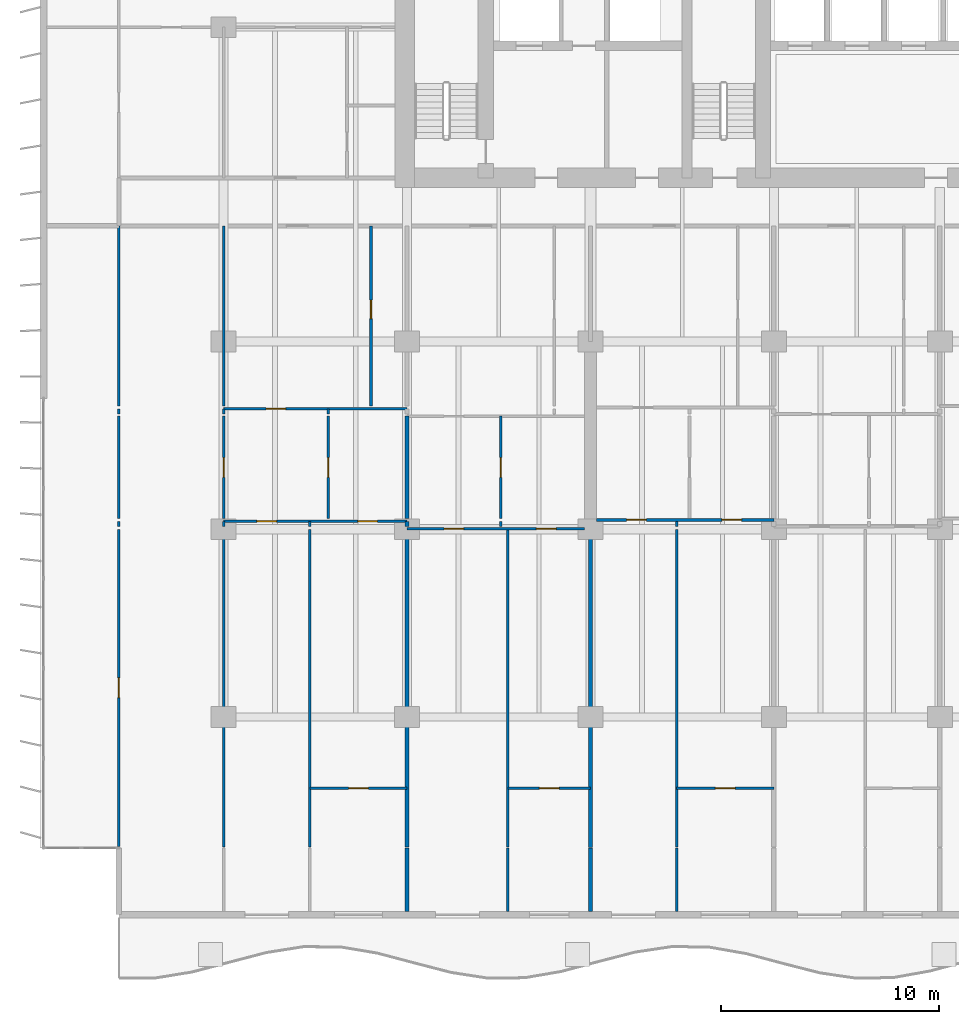
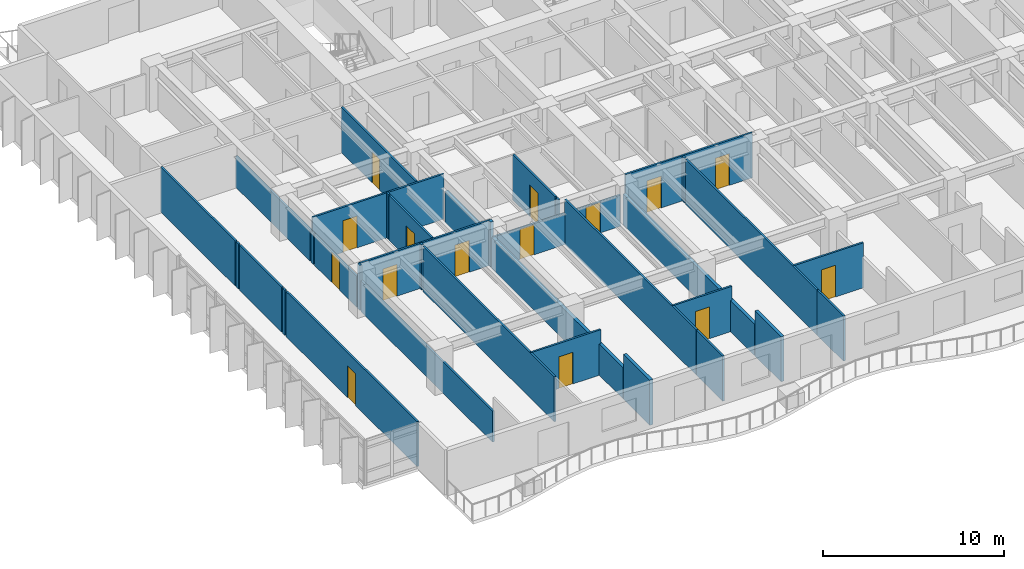
# One storey, part 6 of 18: 35 walls, 15 doors, 15 openings.
"""IFC4 building model written with IfcOpenShell, lengths in metres."""

from ifc_helpers import new_model, si_unit, direction, frame, frame_2d, origin, place, context, subcontext, project, spatial, rectangle, extrude, material, layer, layer_set, type_object, element, fill, save


model = new_model("IFC4")

# Units and contexts
model_context = context("Model", 3, precision=1e-05, world=origin(), true_north=direction((0.0, 1.0)))
body_context = subcontext(model_context, "Body", "Model", "MODEL_VIEW")
ifc_project = project(units=[si_unit("LENGTHUNIT", "METRE"), si_unit("AREAUNIT", "SQUARE_METRE"), si_unit("VOLUMEUNIT", "CUBIC_METRE"), si_unit("PLANEANGLEUNIT", "RADIAN"), si_unit("MASSUNIT", "GRAM", prefix="KILO")], contexts=[model_context])

# Site, building, storey
site_placement = place(None, origin())
site = spatial("IfcSite", under=ifc_project, at=site_placement, CompositionType="ELEMENT")
building_placement = place(site_placement, origin())
building = spatial("IfcBuilding", under=site, at=building_placement, Name="Caelmar Bay Residences", CompositionType="ELEMENT")
storey_placement = place(building_placement, frame((0.0, 0.0, 69.60009765625)))
storey = spatial("IfcBuildingStorey", under=building, at=storey_placement, Name="L18", CompositionType="ELEMENT", Elevation=69.60009765625)

# Wall, opening, door
ifc_material_1 = material(Name="Acoustic metal-stud gypsum partition 120 mm")
ifc_layer_1 = layer(ifc_material_1, 0.1201171875)
ifc_layer_set_1 = layer_set([ifc_layer_1], Name="Acoustic metal-stud gypsum partition 120 mm")
wall_type_1 = type_object("IfcWallType", Name="W-PRT-120", PredefinedType="PARTITIONING", material=ifc_layer_set_1)
wall_1_placement = place(storey_placement, frame((5.10009765625, 6.284912109375, 0.0), z_axis=(0.0, 0.0, 1.0), x_axis=(0.0, 1.0, 0.0)))
wall_1 = element("IfcWall", 1, at=wall_1_placement, inside=storey, type_object=wall_type_1, Name="L18 Partition Wall V001", PredefinedType="PARTITIONING", context=body_context, shape_type="SweptSolid", body=[
    extrude(rectangle(XDim=14.51513671875, YDim=0.1201171875, at=frame_2d((7.257568359375, 0.0))), origin(), (0.0, 0.0, 1.0), 3.0498046875),
])
opening_1_placement = place(wall_1_placement, frame((6.8076171875, 0.0, 0.0)))
opening_1 = element("IfcOpeningElement", 2, at=opening_1_placement, cuts=wall_1, Name="Opening D-L18-170", PredefinedType="OPENING", context=body_context, shape_type="SweptSolid", body=[
    extrude(rectangle(XDim=0.89990234375, YDim=2.14990234375, at=frame_2d((0.449951171875, 1.074951171875))), frame((0.0, 0.070068359375, 0.0), z_axis=(0.0, -1.0, 0.0), x_axis=(1.0, 0.0, 0.0)), (0.0, 0.0, 1.0), 0.14013671875),
])
ifc_material_2 = material(Name="Solid walnut timber interior door leaf and frame", Category="wood")
ifc_layer_2 = layer(ifc_material_2, 0.050048828125)
ifc_layer_set_2 = layer_set([ifc_layer_2], Name="Solid walnut timber interior door leaf and frame")
door_type_1 = type_object("IfcDoorType", Name="D-ROOM-900", OperationType="NOTDEFINED", PredefinedType="DOOR", material=ifc_layer_set_2)
door_1_placement = place(opening_1_placement, origin())
door_1 = element("IfcDoor", 3, at=door_1_placement, inside=storey, type_object=door_type_1, Name="L18 Residence 01 Penthouse West Salon Door", OperationType="SINGLE_SWING_LEFT", OverallHeight=2.14990234375, OverallWidth=0.89990234375, PredefinedType="DOOR", context=body_context, shape_type="SweptSolid", body=[
    extrude(rectangle(XDim=0.89990234375, YDim=2.14990234375, at=frame_2d((0.449951171875, 1.074951171875))), frame((0.0, 0.02490234375, 0.0), z_axis=(0.0, -1.0, 0.0), x_axis=(1.0, 0.0, 0.0)), (0.0, 0.0, 1.0), 0.050048828125),
])
fill(opening_1, door_1)

# Walls
wall_2_placement = place(storey_placement, frame((5.10009765625, 20.929931640625, 0.0), z_axis=(0.0, 0.0, 1.0), x_axis=(0.0, 1.0, 0.0)))
element("IfcWall", 4, at=wall_2_placement, inside=storey, type_object=wall_type_1, Name="L18 Partition Wall V002", PredefinedType="PARTITIONING", context=body_context, shape_type="SweptSolid", body=[
    extrude(rectangle(XDim=0.239990234375, YDim=0.1201171875, at=frame_2d((0.1201171875, 0.0))), origin(), (0.0, 0.0, 1.0), 3.0498046875),
])
wall_3_placement = place(storey_placement, frame((5.10009765625, 21.2900390625, 0.0), z_axis=(0.0, 0.0, 1.0), x_axis=(0.0, 1.0, 0.0)))
element("IfcWall", 5, at=wall_3_placement, inside=storey, type_object=wall_type_1, Name="L18 Partition Wall V003", PredefinedType="PARTITIONING", context=body_context, shape_type="SweptSolid", body=[
    extrude(rectangle(XDim=4.68994140625, YDim=0.1201171875, at=frame_2d((2.344970703125, 0.0))), origin(), (0.0, 0.0, 1.0), 3.0498046875),
])
wall_4_placement = place(storey_placement, frame((5.10009765625, 26.080078125, 0.0), z_axis=(0.0, 0.0, 1.0), x_axis=(0.0, 1.0, 0.0)))
element("IfcWall", 6, at=wall_4_placement, inside=storey, type_object=wall_type_1, Name="L18 Partition Wall V004", PredefinedType="PARTITIONING", context=body_context, shape_type="SweptSolid", body=[
    extrude(rectangle(XDim=0.239990234375, YDim=0.1201171875, at=frame_2d((0.1201171875, 0.0))), origin(), (0.0, 0.0, 1.0), 3.0498046875),
])
wall_5_placement = place(storey_placement, frame((5.10009765625, 26.43994140625, 0.0), z_axis=(0.0, 0.0, 1.0), x_axis=(0.0, 1.0, 0.0)))
element("IfcWall", 7, at=wall_5_placement, inside=storey, type_object=wall_type_1, Name="L18 Partition Wall V005", PredefinedType="PARTITIONING", context=body_context, shape_type="SweptSolid", body=[
    extrude(rectangle(XDim=8.260009765625, YDim=0.1201171875, at=frame_2d((4.1298828125, 0.0))), origin(), (0.0, 0.0, 1.0), 3.0498046875),
])
wall_6_placement = place(storey_placement, frame((9.89990234375, 6.239990234375, 0.0), z_axis=(0.0, 0.0, 1.0), x_axis=(0.0, 1.0, 0.0)))
element("IfcWall", 8, at=wall_6_placement, inside=storey, type_object=wall_type_1, Name="L18 Partition Wall V009", PredefinedType="PARTITIONING", context=body_context, shape_type="SweptSolid", body=[
    extrude(rectangle(XDim=14.56005859375, YDim=0.1201171875, at=frame_2d((7.280029296875, 0.0))), origin(), (0.0, 0.0, 1.0), 2.10986328125),
])
wall_7_placement = place(storey_placement, frame((9.89990234375, 20.929931640625, 0.0), z_axis=(0.0, 0.0, 1.0), x_axis=(0.0, 1.0, 0.0)))
element("IfcWall", 9, at=wall_7_placement, inside=storey, type_object=wall_type_1, Name="L18 Partition Wall V010", PredefinedType="PARTITIONING", context=body_context, shape_type="SweptSolid", body=[
    extrude(rectangle(XDim=0.239990234375, YDim=0.1201171875, at=frame_2d((0.1201171875, 0.0))), origin(), (0.0, 0.0, 1.0), 3.0498046875),
])

# Wall, opening, door
wall_8_placement = place(storey_placement, frame((9.89990234375, 21.2900390625, 0.0), z_axis=(0.0, 0.0, 1.0), x_axis=(0.0, 1.0, 0.0)))
wall_8 = element("IfcWall", 10, at=wall_8_placement, inside=storey, type_object=wall_type_1, Name="L18 Partition Wall V011", PredefinedType="PARTITIONING", context=body_context, shape_type="SweptSolid", body=[
    extrude(rectangle(XDim=4.68994140625, YDim=0.1201171875, at=frame_2d((2.344970703125, 0.0))), origin(), (0.0, 0.0, 1.0), 2.10986328125),
])
opening_2_placement = place(wall_8_placement, frame((1.89501953125, 0.0, 0.0)))
opening_2 = element("IfcOpeningElement", 11, at=opening_2_placement, cuts=wall_8, Name="Opening D-L18-126", PredefinedType="OPENING", context=body_context, shape_type="SweptSolid", body=[
    extrude(rectangle(XDim=0.89990234375, YDim=2.06005859375, at=frame_2d((0.449951171875, 1.030029296875))), frame((0.0, 0.070068359375, 0.0), z_axis=(0.0, -1.0, 0.0), x_axis=(1.0, 0.0, 0.0)), (0.0, 0.0, 1.0), 0.14013671875),
])
door_2_placement = place(opening_2_placement, origin())
door_2 = element("IfcDoor", 12, at=door_2_placement, inside=storey, type_object=door_type_1, Name="L18 Residence 01 West Apartment Hall Door", OperationType="SINGLE_SWING_LEFT", OverallHeight=2.06005859375, OverallWidth=0.89990234375, PredefinedType="DOOR", context=body_context, shape_type="SweptSolid", body=[
    extrude(rectangle(XDim=0.89990234375, YDim=2.06005859375, at=frame_2d((0.449951171875, 1.030029296875))), frame((0.0, 0.02490234375, 0.0), z_axis=(0.0, -1.0, 0.0), x_axis=(1.0, 0.0, 0.0)), (0.0, 0.0, 1.0), 0.050048828125),
])
fill(opening_2, door_2)

# Walls
wall_9_placement = place(storey_placement, frame((9.89990234375, 26.080078125, 0.0), z_axis=(0.0, 0.0, 1.0), x_axis=(0.0, 1.0, 0.0)))
element("IfcWall", 13, at=wall_9_placement, inside=storey, type_object=wall_type_1, Name="L18 Partition Wall V012", PredefinedType="PARTITIONING", context=body_context, shape_type="SweptSolid", body=[
    extrude(rectangle(XDim=0.239990234375, YDim=0.1201171875, at=frame_2d((0.1201171875, 0.0))), origin(), (0.0, 0.0, 1.0), 2.10986328125),
])
wall_10_placement = place(storey_placement, frame((9.89990234375, 26.43994140625, 0.0), z_axis=(0.0, 0.0, 1.0), x_axis=(0.0, 1.0, 0.0)))
element("IfcWall", 14, at=wall_10_placement, inside=storey, type_object=wall_type_1, Name="L18 Partition Wall V013", PredefinedType="PARTITIONING", context=body_context, shape_type="SweptSolid", body=[
    extrude(rectangle(XDim=8.260009765625, YDim=0.1201171875, at=frame_2d((4.1298828125, 0.0))), origin(), (0.0, 0.0, 1.0), 2.10986328125),
])
wall_11_placement = place(storey_placement, frame((13.847900390625, 6.239990234375, 0.0), z_axis=(0.0, 0.0, 1.0), x_axis=(0.0, 1.0, 0.0)))
element("IfcWall", 15, at=wall_11_placement, inside=storey, type_object=wall_type_1, Name="L18 Partition Wall V016", PredefinedType="PARTITIONING", context=body_context, shape_type="SweptSolid", body=[
    extrude(rectangle(XDim=14.56005859375, YDim=0.1201171875, at=frame_2d((7.280029296875, 0.0))), origin(), (0.0, 0.0, 1.0), 3.0498046875),
])
wall_12_placement = place(storey_placement, frame((13.847900390625, 20.929931640625, 0.0), z_axis=(0.0, 0.0, 1.0), x_axis=(0.0, 1.0, 0.0)))
element("IfcWall", 16, at=wall_12_placement, inside=storey, type_object=wall_type_1, Name="L18 Partition Wall V017", PredefinedType="PARTITIONING", context=body_context, shape_type="SweptSolid", body=[
    extrude(rectangle(XDim=0.239990234375, YDim=0.1201171875, at=frame_2d((0.1201171875, 0.0))), origin(), (0.0, 0.0, 1.0), 3.0498046875),
])

# Wall, opening, door
wall_13_placement = place(storey_placement, frame((14.68603515625, 21.2900390625, 0.0), z_axis=(0.0, 0.0, 1.0), x_axis=(0.0, 1.0, 0.0)))
wall_13 = element("IfcWall", 17, at=wall_13_placement, inside=storey, type_object=wall_type_1, Name="L18 Partition Wall V018", PredefinedType="PARTITIONING", context=body_context, shape_type="SweptSolid", body=[
    extrude(rectangle(XDim=4.68994140625, YDim=0.1201171875, at=frame_2d((2.344970703125, 0.0))), origin(), (0.0, 0.0, 1.0), 3.0498046875),
])
opening_3_placement = place(wall_13_placement, frame((1.89501953125, 0.0, 0.0)))
opening_3 = element("IfcOpeningElement", 18, at=opening_3_placement, cuts=wall_13, Name="Opening D-L18-122", PredefinedType="OPENING", context=body_context, shape_type="SweptSolid", body=[
    extrude(rectangle(XDim=0.89990234375, YDim=2.14990234375, at=frame_2d((0.449951171875, 1.074951171875))), frame((0.0, 0.070068359375, 0.0), z_axis=(0.0, -1.0, 0.0), x_axis=(1.0, 0.0, 0.0)), (0.0, 0.0, 1.0), 0.14013671875),
])
door_3_placement = place(opening_3_placement, origin())
door_3 = element("IfcDoor", 19, at=door_3_placement, inside=storey, type_object=door_type_1, Name="L18 Residence 01 Study Door", OperationType="SINGLE_SWING_LEFT", OverallHeight=2.14990234375, OverallWidth=0.89990234375, PredefinedType="DOOR", context=body_context, shape_type="SweptSolid", body=[
    extrude(rectangle(XDim=0.89990234375, YDim=2.14990234375, at=frame_2d((0.449951171875, 1.074951171875))), frame((0.0, 0.02490234375, 0.0), z_axis=(0.0, -1.0, 0.0), x_axis=(1.0, 0.0, 0.0)), (0.0, 0.0, 1.0), 0.050048828125),
])
fill(opening_3, door_3)

# Wall
wall_14_placement = place(storey_placement, frame((14.68603515625, 26.080078125, 0.0), z_axis=(0.0, 0.0, 1.0), x_axis=(0.0, 1.0, 0.0)))
element("IfcWall", 20, at=wall_14_placement, inside=storey, type_object=wall_type_1, Name="L18 Partition Wall V019", PredefinedType="PARTITIONING", context=body_context, shape_type="SweptSolid", body=[
    extrude(rectangle(XDim=0.239990234375, YDim=0.1201171875, at=frame_2d((0.1201171875, 0.0))), origin(), (0.0, 0.0, 1.0), 3.0498046875),
])

# Wall, opening, door
wall_15_placement = place(storey_placement, frame((16.64990234375, 26.43994140625, 0.0), z_axis=(0.0, 0.0, 1.0), x_axis=(0.0, 1.0, 0.0)))
wall_15 = element("IfcWall", 21, at=wall_15_placement, inside=storey, type_object=wall_type_1, Name="L18 Partition Wall V021", PredefinedType="PARTITIONING", context=body_context, shape_type="SweptSolid", body=[
    extrude(rectangle(XDim=8.260009765625, YDim=0.1201171875, at=frame_2d((4.1298828125, 0.0))), origin(), (0.0, 0.0, 1.0), 3.0498046875),
])
opening_4_placement = place(wall_15_placement, frame((4.0048828125, 0.0, 0.0)))
opening_4 = element("IfcOpeningElement", 22, at=opening_4_placement, cuts=wall_15, Name="Opening D-L18-120", PredefinedType="OPENING", context=body_context, shape_type="SweptSolid", body=[
    extrude(rectangle(XDim=0.85009765625, YDim=2.10009765625, at=frame_2d((0.425048828125, 1.050048828125))), frame((0.0, 0.070068359375, 0.0), z_axis=(0.0, -1.0, 0.0), x_axis=(1.0, 0.0, 0.0)), (0.0, 0.0, 1.0), 0.14013671875),
])
ifc_layer_3 = layer(ifc_material_2, 0.050048828125)
ifc_layer_set_3 = layer_set([ifc_layer_3], Name="Solid walnut timber interior door leaf and frame")
door_type_2 = type_object("IfcDoorType", Name="D-BATH-850", OperationType="NOTDEFINED", PredefinedType="DOOR", material=ifc_layer_set_3)
door_4_placement = place(opening_4_placement, origin())
door_4 = element("IfcDoor", 23, at=door_4_placement, inside=storey, type_object=door_type_2, Name="L18 Residence 01 Bathroom Door", OperationType="SINGLE_SWING_LEFT", OverallHeight=2.10009765625, OverallWidth=0.85009765625, PredefinedType="DOOR", context=body_context, shape_type="SweptSolid", body=[
    extrude(rectangle(XDim=0.85009765625, YDim=2.10009765625, at=frame_2d((0.425048828125, 1.050048828125))), frame((0.0, 0.02490234375, 0.0), z_axis=(0.0, -1.0, 0.0), x_axis=(1.0, 0.0, 0.0)), (0.0, 0.0, 1.0), 0.050048828125),
])
fill(opening_4, door_4)

# Wall
wall_16_placement = place(storey_placement, frame((22.5859375, 20.929931640625, 0.0), z_axis=(0.0, 0.0, 1.0), x_axis=(0.0, 1.0, 0.0)))
element("IfcWall", 24, at=wall_16_placement, inside=storey, type_object=wall_type_1, Name="L18 Partition Wall V029", PredefinedType="PARTITIONING", context=body_context, shape_type="SweptSolid", body=[
    extrude(rectangle(XDim=0.239990234375, YDim=0.1201171875, at=frame_2d((0.1201171875, 0.0))), origin(), (0.0, 0.0, 1.0), 3.0498046875),
])

# Wall, opening, door
wall_17_placement = place(storey_placement, frame((22.5859375, 21.2900390625, 0.0), z_axis=(0.0, 0.0, 1.0), x_axis=(0.0, 1.0, 0.0)))
wall_17 = element("IfcWall", 25, at=wall_17_placement, inside=storey, type_object=wall_type_1, Name="L18 Partition Wall V030", PredefinedType="PARTITIONING", context=body_context, shape_type="SweptSolid", body=[
    extrude(rectangle(XDim=4.68994140625, YDim=0.1201171875, at=frame_2d((2.344970703125, 0.0))), origin(), (0.0, 0.0, 1.0), 3.0498046875),
])
opening_5_placement = place(wall_17_placement, frame((1.89501953125, 0.0, 0.0)))
opening_5 = element("IfcOpeningElement", 26, at=opening_5_placement, cuts=wall_17, Name="Opening D-L18-130", PredefinedType="OPENING", context=body_context, shape_type="SweptSolid", body=[
    extrude(rectangle(XDim=0.89990234375, YDim=2.14990234375, at=frame_2d((0.449951171875, 1.074951171875))), frame((0.0, 0.070068359375, 0.0), z_axis=(0.0, -1.0, 0.0), x_axis=(1.0, 0.0, 0.0)), (0.0, 0.0, 1.0), 0.14013671875),
])
door_5_placement = place(opening_5_placement, origin())
door_5 = element("IfcDoor", 27, at=door_5_placement, inside=storey, type_object=door_type_1, Name="L18 Residence 02 Study Door", OperationType="SINGLE_SWING_LEFT", OverallHeight=2.14990234375, OverallWidth=0.89990234375, PredefinedType="DOOR", context=body_context, shape_type="SweptSolid", body=[
    extrude(rectangle(XDim=0.89990234375, YDim=2.14990234375, at=frame_2d((0.449951171875, 1.074951171875))), frame((0.0, 0.02490234375, 0.0), z_axis=(0.0, -1.0, 0.0), x_axis=(1.0, 0.0, 0.0)), (0.0, 0.0, 1.0), 0.050048828125),
])
fill(opening_5, door_5)

# Walls
wall_18_placement = place(storey_placement, frame((22.919921875, 3.294921875, 0.0), z_axis=(0.0, 0.0, 1.0), x_axis=(0.0, 1.0, 0.0)))
element("IfcWall", 28, at=wall_18_placement, inside=storey, type_object=wall_type_1, Name="L18 Partition Wall V031", PredefinedType="PARTITIONING", context=body_context, shape_type="SweptSolid", body=[
    extrude(rectangle(XDim=2.905029296875, YDim=0.1201171875, at=frame_2d((1.45263671875, 0.0))), origin(), (0.0, 0.0, 1.0), 3.0498046875),
])
wall_19_placement = place(storey_placement, frame((22.919921875, 6.239990234375, 0.0), z_axis=(0.0, 0.0, 1.0), x_axis=(0.0, 1.0, 0.0)))
element("IfcWall", 29, at=wall_19_placement, inside=storey, type_object=wall_type_1, Name="L18 Partition Wall V032", PredefinedType="PARTITIONING", context=body_context, shape_type="SweptSolid", body=[
    extrude(rectangle(XDim=14.56005859375, YDim=0.1201171875, at=frame_2d((7.280029296875, 0.0))), origin(), (0.0, 0.0, 1.0), 3.0498046875),
])
wall_20_placement = place(storey_placement, frame((30.64794921875, 3.294921875, 0.0), z_axis=(0.0, 0.0, 1.0), x_axis=(0.0, 1.0, 0.0)))
element("IfcWall", 30, at=wall_20_placement, inside=storey, type_object=wall_type_1, Name="L18 Partition Wall V041", PredefinedType="PARTITIONING", context=body_context, shape_type="SweptSolid", body=[
    extrude(rectangle(XDim=2.905029296875, YDim=0.1201171875, at=frame_2d((1.45263671875, 0.0))), origin(), (0.0, 0.0, 1.0), 3.0498046875),
])
wall_21_placement = place(storey_placement, frame((30.64794921875, 6.239990234375, 0.0), z_axis=(0.0, 0.0, 1.0), x_axis=(0.0, 1.0, 0.0)))
element("IfcWall", 31, at=wall_21_placement, inside=storey, type_object=wall_type_1, Name="L18 Partition Wall V042", PredefinedType="PARTITIONING", context=body_context, shape_type="SweptSolid", body=[
    extrude(rectangle(XDim=14.56005859375, YDim=0.1201171875, at=frame_2d((7.280029296875, 0.0))), origin(), (0.0, 0.0, 1.0), 3.0498046875),
])
wall_22_placement = place(storey_placement, frame((30.64794921875, 20.929931640625, 0.0), z_axis=(0.0, 0.0, 1.0), x_axis=(0.0, 1.0, 0.0)))
element("IfcWall", 32, at=wall_22_placement, inside=storey, type_object=wall_type_1, Name="L18 Partition Wall V043", PredefinedType="PARTITIONING", context=body_context, shape_type="SweptSolid", body=[
    extrude(rectangle(XDim=0.239990234375, YDim=0.1201171875, at=frame_2d((0.1201171875, 0.0))), origin(), (0.0, 0.0, 1.0), 3.0498046875),
])

# Wall, opening, door
wall_23_placement = place(storey_placement, frame((13.847900390625, 8.949951171875, 0.0), z_axis=(0.0, 0.0, 1.0), x_axis=(1.0, 0.0, 0.0)))
wall_23 = element("IfcWall", 33, at=wall_23_placement, inside=storey, type_object=wall_type_1, Name="L18 Partition Wall H117", PredefinedType="PARTITIONING", context=body_context, shape_type="SweptSolid", body=[
    extrude(rectangle(XDim=4.4521484375, YDim=0.1201171875, at=frame_2d((2.22607421875, 0.0))), origin(), (0.0, 0.0, 1.0), 3.0498046875),
])
opening_6_placement = place(wall_23_placement, frame((1.77587890625, 0.0, 0.0)))
opening_6 = element("IfcOpeningElement", 34, at=opening_6_placement, cuts=wall_23, Name="Opening D-L18-125", PredefinedType="OPENING", context=body_context, shape_type="SweptSolid", body=[
    extrude(rectangle(XDim=0.89990234375, YDim=2.14990234375, at=frame_2d((0.449951171875, 1.074951171875))), frame((0.0, 0.070068359375, 0.0), z_axis=(0.0, -1.0, 0.0), x_axis=(1.0, 0.0, 0.0)), (0.0, 0.0, 1.0), 0.14013671875),
])
door_6_placement = place(opening_6_placement, origin())
door_6 = element("IfcDoor", 35, at=door_6_placement, inside=storey, type_object=door_type_1, Name="L18 Residence 01 Primary Bedroom Door", OperationType="SINGLE_SWING_RIGHT", OverallHeight=2.14990234375, OverallWidth=0.89990234375, PredefinedType="DOOR", context=body_context, shape_type="SweptSolid", body=[
    extrude(rectangle(XDim=0.89990234375, YDim=2.14990234375, at=frame_2d((0.449951171875, 1.074951171875))), frame((0.0, 0.02490234375, 0.0), z_axis=(0.0, -1.0, 0.0), x_axis=(1.0, 0.0, 0.0)), (0.0, 0.0, 1.0), 0.050048828125),
])
fill(opening_6, door_6)

wall_24_placement = place(storey_placement, frame((22.919921875, 8.949951171875, 0.0), z_axis=(0.0, 0.0, 1.0), x_axis=(1.0, 0.0, 0.0)))
wall_24 = element("IfcWall", 36, at=wall_24_placement, inside=storey, type_object=wall_type_1, Name="L18 Partition Wall H118", PredefinedType="PARTITIONING", context=body_context, shape_type="SweptSolid", body=[
    extrude(rectangle(XDim=3.780029296875, YDim=0.1201171875, at=frame_2d((1.89013671875, 0.0))), origin(), (0.0, 0.0, 1.0), 3.0498046875),
])
opening_7_placement = place(wall_24_placement, frame((1.43994140625, 0.0, 0.0)))
opening_7 = element("IfcOpeningElement", 37, at=opening_7_placement, cuts=wall_24, Name="Opening D-L18-133", PredefinedType="OPENING", context=body_context, shape_type="SweptSolid", body=[
    extrude(rectangle(XDim=0.89990234375, YDim=2.14990234375, at=frame_2d((0.449951171875, 1.074951171875))), frame((0.0, 0.070068359375, 0.0), z_axis=(0.0, -1.0, 0.0), x_axis=(1.0, 0.0, 0.0)), (0.0, 0.0, 1.0), 0.14013671875),
])
door_7_placement = place(opening_7_placement, origin())
door_7 = element("IfcDoor", 38, at=door_7_placement, inside=storey, type_object=door_type_1, Name="L18 Residence 02 Primary Bedroom Door", OperationType="SINGLE_SWING_RIGHT", OverallHeight=2.14990234375, OverallWidth=0.89990234375, PredefinedType="DOOR", context=body_context, shape_type="SweptSolid", body=[
    extrude(rectangle(XDim=0.89990234375, YDim=2.14990234375, at=frame_2d((0.449951171875, 1.074951171875))), frame((0.0, 0.02490234375, 0.0), z_axis=(0.0, -1.0, 0.0), x_axis=(1.0, 0.0, 0.0)), (0.0, 0.0, 1.0), 0.050048828125),
])
fill(opening_7, door_7)

wall_25_placement = place(storey_placement, frame((30.64794921875, 8.949951171875, 0.0), z_axis=(0.0, 0.0, 1.0), x_axis=(1.0, 0.0, 0.0)))
wall_25 = element("IfcWall", 39, at=wall_25_placement, inside=storey, type_object=wall_type_1, Name="L18 Partition Wall H119", PredefinedType="PARTITIONING", context=body_context, shape_type="SweptSolid", body=[
    extrude(rectangle(XDim=4.4521484375, YDim=0.1201171875, at=frame_2d((2.22607421875, 0.0))), origin(), (0.0, 0.0, 1.0), 3.0498046875),
])
opening_8_placement = place(wall_25_placement, frame((1.77587890625, 0.0, 0.0)))
opening_8 = element("IfcOpeningElement", 40, at=opening_8_placement, cuts=wall_25, Name="Opening D-L18-140", PredefinedType="OPENING", context=body_context, shape_type="SweptSolid", body=[
    extrude(rectangle(XDim=0.89990234375, YDim=2.14990234375, at=frame_2d((0.449951171875, 1.074951171875))), frame((0.0, 0.070068359375, 0.0), z_axis=(0.0, -1.0, 0.0), x_axis=(1.0, 0.0, 0.0)), (0.0, 0.0, 1.0), 0.14013671875),
])
door_8_placement = place(opening_8_placement, origin())
door_8 = element("IfcDoor", 41, at=door_8_placement, inside=storey, type_object=door_type_1, Name="L18 Residence 03 Primary Bedroom Door", OperationType="SINGLE_SWING_LEFT", OverallHeight=2.14990234375, OverallWidth=0.89990234375, PredefinedType="DOOR", context=body_context, shape_type="SweptSolid", body=[
    extrude(rectangle(XDim=0.89990234375, YDim=2.14990234375, at=frame_2d((0.449951171875, 1.074951171875))), frame((0.0, 0.02490234375, 0.0), z_axis=(0.0, -1.0, 0.0), x_axis=(1.0, 0.0, 0.0)), (0.0, 0.0, 1.0), 0.050048828125),
])
fill(opening_8, door_8)

# Wall, openings, doors
wall_26_placement = place(storey_placement, frame((18.300048828125, 20.830078125, 0.0), z_axis=(0.0, 0.0, 1.0), x_axis=(1.0, 0.0, 0.0)))
wall_26 = element("IfcWall", 42, at=wall_26_placement, inside=storey, type_object=wall_type_1, Name="L18 Partition Wall H124", PredefinedType="PARTITIONING", context=body_context, shape_type="SweptSolid", body=[
    extrude(rectangle(XDim=8.1298828125, YDim=0.1201171875, at=frame_2d((4.06494140625, 0.0))), origin(), (0.0, 0.0, 1.0), 2.10986328125),
])
opening_9_placement = place(wall_26_placement, frame((1.693115234375, 0.0, 0.0)))
opening_9 = element("IfcOpeningElement", 43, at=opening_9_placement, cuts=wall_26, Name="Opening D-L18-131", PredefinedType="OPENING", context=body_context, shape_type="SweptSolid", body=[
    extrude(rectangle(XDim=0.89990234375, YDim=2.06005859375, at=frame_2d((0.449951171875, 1.030029296875))), frame((0.0, 0.070068359375, 0.0), z_axis=(0.0, -1.0, 0.0), x_axis=(1.0, 0.0, 0.0)), (0.0, 0.0, 1.0), 0.14013671875),
])
opening_10_placement = place(wall_26_placement, frame((5.925048828125, 0.0, 0.0)))
opening_10 = element("IfcOpeningElement", 44, at=opening_10_placement, cuts=wall_26, Name="Opening D-L18-132", PredefinedType="OPENING", context=body_context, shape_type="SweptSolid", body=[
    extrude(rectangle(XDim=0.89990234375, YDim=2.06005859375, at=frame_2d((0.449951171875, 1.030029296875))), frame((0.0, 0.070068359375, 0.0), z_axis=(0.0, -1.0, 0.0), x_axis=(1.0, 0.0, 0.0)), (0.0, 0.0, 1.0), 0.14013671875),
])
door_9_placement = place(opening_9_placement, origin())
door_9 = element("IfcDoor", 45, at=door_9_placement, inside=storey, type_object=door_type_1, Name="L18 Residence 02 Penthouse Living Salon Door", OperationType="SINGLE_SWING_RIGHT", OverallHeight=2.06005859375, OverallWidth=0.89990234375, PredefinedType="DOOR", context=body_context, shape_type="SweptSolid", body=[
    extrude(rectangle(XDim=0.89990234375, YDim=2.06005859375, at=frame_2d((0.449951171875, 1.030029296875))), frame((0.0, 0.02490234375, 0.0), z_axis=(0.0, -1.0, 0.0), x_axis=(1.0, 0.0, 0.0)), (0.0, 0.0, 1.0), 0.050048828125),
])
fill(opening_9, door_9)
door_10_placement = place(opening_10_placement, origin())
door_10 = element("IfcDoor", 46, at=door_10_placement, inside=storey, type_object=door_type_1, Name="L18 Residence 02 Penthouse Sitting Room Door", OperationType="SINGLE_SWING_LEFT", OverallHeight=2.06005859375, OverallWidth=0.89990234375, PredefinedType="DOOR", context=body_context, shape_type="SweptSolid", body=[
    extrude(rectangle(XDim=0.89990234375, YDim=2.06005859375, at=frame_2d((0.449951171875, 1.030029296875))), frame((0.0, 0.02490234375, 0.0), z_axis=(0.0, -1.0, 0.0), x_axis=(1.0, 0.0, 0.0)), (0.0, 0.0, 1.0), 0.050048828125),
])
fill(opening_10, door_10)

wall_27_placement = place(storey_placement, frame((9.89990234375, 21.169921875, 0.0), z_axis=(0.0, 0.0, 1.0), x_axis=(1.0, 0.0, 0.0)))
wall_27 = element("IfcWall", 47, at=wall_27_placement, inside=storey, type_object=wall_type_1, Name="L18 Partition Wall H127", PredefinedType="PARTITIONING", context=body_context, shape_type="SweptSolid", body=[
    extrude(rectangle(XDim=8.400146484375, YDim=0.1201171875, at=frame_2d((4.2001953125, 0.0))), origin(), (0.0, 0.0, 1.0), 3.0498046875),
])
opening_11_placement = place(wall_27_placement, frame((1.52392578125, 0.0, 0.0)))
opening_11 = element("IfcOpeningElement", 48, at=opening_11_placement, cuts=wall_27, Name="Opening D-L18-123", PredefinedType="OPENING", context=body_context, shape_type="SweptSolid", body=[
    extrude(rectangle(XDim=0.89990234375, YDim=2.14990234375, at=frame_2d((0.449951171875, 1.074951171875))), frame((0.0, 0.070068359375, 0.0), z_axis=(0.0, -1.0, 0.0), x_axis=(1.0, 0.0, 0.0)), (0.0, 0.0, 1.0), 0.14013671875),
])
opening_12_placement = place(wall_27_placement, frame((6.14306640625, 0.0, 0.0)))
opening_12 = element("IfcOpeningElement", 49, at=opening_12_placement, cuts=wall_27, Name="Opening D-L18-124", PredefinedType="OPENING", context=body_context, shape_type="SweptSolid", body=[
    extrude(rectangle(XDim=0.89990234375, YDim=2.14990234375, at=frame_2d((0.449951171875, 1.074951171875))), frame((0.0, 0.070068359375, 0.0), z_axis=(0.0, -1.0, 0.0), x_axis=(1.0, 0.0, 0.0)), (0.0, 0.0, 1.0), 0.14013671875),
])
door_11_placement = place(opening_11_placement, origin())
door_11 = element("IfcDoor", 50, at=door_11_placement, inside=storey, type_object=door_type_1, Name="L18 Residence 01 Living Room Door", OperationType="SINGLE_SWING_RIGHT", OverallHeight=2.14990234375, OverallWidth=0.89990234375, PredefinedType="DOOR", context=body_context, shape_type="SweptSolid", body=[
    extrude(rectangle(XDim=0.89990234375, YDim=2.14990234375, at=frame_2d((0.449951171875, 1.074951171875))), frame((0.0, 0.02490234375, 0.0), z_axis=(0.0, -1.0, 0.0), x_axis=(1.0, 0.0, 0.0)), (0.0, 0.0, 1.0), 0.050048828125),
])
fill(opening_11, door_11)
door_12_placement = place(opening_12_placement, origin())
door_12 = element("IfcDoor", 51, at=door_12_placement, inside=storey, type_object=door_type_1, Name="L18 Residence 01 Penthouse Sitting Room Door", OperationType="SINGLE_SWING_LEFT", OverallHeight=2.14990234375, OverallWidth=0.89990234375, PredefinedType="DOOR", context=body_context, shape_type="SweptSolid", body=[
    extrude(rectangle(XDim=0.89990234375, YDim=2.14990234375, at=frame_2d((0.449951171875, 1.074951171875))), frame((0.0, 0.02490234375, 0.0), z_axis=(0.0, -1.0, 0.0), x_axis=(1.0, 0.0, 0.0)), (0.0, 0.0, 1.0), 0.050048828125),
])
fill(opening_12, door_12)

wall_28_placement = place(storey_placement, frame((26.969970703125, 21.22998046875, 0.0), z_axis=(0.0, 0.0, 1.0), x_axis=(1.0, 0.0, 0.0)))
wall_28 = element("IfcWall", 52, at=wall_28_placement, inside=storey, type_object=wall_type_1, Name="L18 Partition Wall H129", PredefinedType="PARTITIONING", context=body_context, shape_type="SweptSolid", body=[
    extrude(rectangle(XDim=8.130126953125, YDim=0.1201171875, at=frame_2d((4.06494140625, 0.0))), origin(), (0.0, 0.0, 1.0), 3.0498046875),
])
opening_13_placement = place(wall_28_placement, frame((1.388916015625, 0.0, 0.0)))
opening_13 = element("IfcOpeningElement", 53, at=opening_13_placement, cuts=wall_28, Name="Opening D-L18-138", PredefinedType="OPENING", context=body_context, shape_type="SweptSolid", body=[
    extrude(rectangle(XDim=0.89990234375, YDim=2.14990234375, at=frame_2d((0.449951171875, 1.074951171875))), frame((0.0, 0.070068359375, 0.0), z_axis=(0.0, -1.0, 0.0), x_axis=(1.0, 0.0, 0.0)), (0.0, 0.0, 1.0), 0.14013671875),
])
opening_14_placement = place(wall_28_placement, frame((5.748046875, 0.0, 0.0)))
opening_14 = element("IfcOpeningElement", 54, at=opening_14_placement, cuts=wall_28, Name="Opening D-L18-139", PredefinedType="OPENING", context=body_context, shape_type="SweptSolid", body=[
    extrude(rectangle(XDim=0.89990234375, YDim=2.14990234375, at=frame_2d((0.449951171875, 1.074951171875))), frame((0.0, 0.070068359375, 0.0), z_axis=(0.0, -1.0, 0.0), x_axis=(1.0, 0.0, 0.0)), (0.0, 0.0, 1.0), 0.14013671875),
])
door_13_placement = place(opening_13_placement, origin())
door_13 = element("IfcDoor", 55, at=door_13_placement, inside=storey, type_object=door_type_1, Name="L18 Residence 03 Living Room Door", OperationType="SINGLE_SWING_LEFT", OverallHeight=2.14990234375, OverallWidth=0.89990234375, PredefinedType="DOOR", context=body_context, shape_type="SweptSolid", body=[
    extrude(rectangle(XDim=0.89990234375, YDim=2.14990234375, at=frame_2d((0.449951171875, 1.074951171875))), frame((0.0, 0.02490234375, 0.0), z_axis=(0.0, -1.0, 0.0), x_axis=(1.0, 0.0, 0.0)), (0.0, 0.0, 1.0), 0.050048828125),
])
fill(opening_13, door_13)
door_14_placement = place(opening_14_placement, origin())
door_14 = element("IfcDoor", 56, at=door_14_placement, inside=storey, type_object=door_type_1, Name="L18 Residence 03 Penthouse Sitting Room Door", OperationType="SINGLE_SWING_RIGHT", OverallHeight=2.14990234375, OverallWidth=0.89990234375, PredefinedType="DOOR", context=body_context, shape_type="SweptSolid", body=[
    extrude(rectangle(XDim=0.89990234375, YDim=2.14990234375, at=frame_2d((0.449951171875, 1.074951171875))), frame((0.0, 0.02490234375, 0.0), z_axis=(0.0, -1.0, 0.0), x_axis=(1.0, 0.0, 0.0)), (0.0, 0.0, 1.0), 0.050048828125),
])
fill(opening_14, door_14)

# Wall, opening, door
wall_29_placement = place(storey_placement, frame((9.89990234375, 26.320068359375, 0.0), z_axis=(0.0, 0.0, 1.0), x_axis=(1.0, 0.0, 0.0)))
wall_29 = element("IfcWall", 57, at=wall_29_placement, inside=storey, type_object=wall_type_1, Name="L18 Partition Wall H134", PredefinedType="PARTITIONING", context=body_context, shape_type="SweptSolid", body=[
    extrude(rectangle(XDim=8.400146484375, YDim=0.1201171875, at=frame_2d((4.2001953125, 0.0))), origin(), (0.0, 0.0, 1.0), 3.0498046875),
])
opening_15_placement = place(wall_29_placement, frame((1.943115234375, 0.0, 0.0)))
opening_15 = element("IfcOpeningElement", 58, at=opening_15_placement, cuts=wall_29, Name="Opening D-L18-121", PredefinedType="OPENING", context=body_context, shape_type="SweptSolid", body=[
    extrude(rectangle(XDim=0.89990234375, YDim=2.14990234375, at=frame_2d((0.449951171875, 1.074951171875))), frame((0.0, 0.070068359375, 0.0), z_axis=(0.0, -1.0, 0.0), x_axis=(1.0, 0.0, 0.0)), (0.0, 0.0, 1.0), 0.14013671875),
])
door_15_placement = place(opening_15_placement, origin())
door_15 = element("IfcDoor", 59, at=door_15_placement, inside=storey, type_object=door_type_1, Name="L18 Residence 01 Kitchen Door", OperationType="SINGLE_SWING_RIGHT", OverallHeight=2.14990234375, OverallWidth=0.89990234375, PredefinedType="DOOR", context=body_context, shape_type="SweptSolid", body=[
    extrude(rectangle(XDim=0.89990234375, YDim=2.14990234375, at=frame_2d((0.449951171875, 1.074951171875))), frame((0.0, 0.02490234375, 0.0), z_axis=(0.0, -1.0, 0.0), x_axis=(1.0, 0.0, 0.0)), (0.0, 0.0, 1.0), 0.050048828125),
])
fill(opening_15, door_15)

# Walls
ifc_material_3 = material(Name="Acoustic twin-stud fire-rated inter-tenancy partition 200 mm")
ifc_layer_4 = layer(ifc_material_3, 0.199951171875)
ifc_layer_set_4 = layer_set([ifc_layer_4], Name="Acoustic twin-stud fire-rated inter-tenancy partition 200 mm")
wall_type_2 = type_object("IfcWallType", Name="W-PTY-200", PredefinedType="PARTITIONING", material=ifc_layer_set_4)
wall_30_placement = place(storey_placement, frame((18.300048828125, 3.294921875, 0.0), z_axis=(0.0, 0.0, 1.0), x_axis=(0.0, 1.0, 0.0)))
element("IfcWall", 60, at=wall_30_placement, inside=storey, type_object=wall_type_2, Name="L18 Partition Wall V022", PredefinedType="PARTITIONING", context=body_context, shape_type="SweptSolid", body=[
    extrude(rectangle(XDim=2.905029296875, YDim=0.199951171875, at=frame_2d((1.45263671875, 0.0))), origin(), (0.0, 0.0, 1.0), 3.0498046875),
])
wall_31_placement = place(storey_placement, frame((18.300048828125, 6.239990234375, 0.0), z_axis=(0.0, 0.0, 1.0), x_axis=(0.0, 1.0, 0.0)))
element("IfcWall", 61, at=wall_31_placement, inside=storey, type_object=wall_type_2, Name="L18 Partition Wall V023", PredefinedType="PARTITIONING", context=body_context, shape_type="SweptSolid", body=[
    extrude(rectangle(XDim=14.56005859375, YDim=0.199951171875, at=frame_2d((7.280029296875, 0.0))), origin(), (0.0, 0.0, 1.0), 2.10986328125),
])
wall_32_placement = place(storey_placement, frame((18.300048828125, 20.929931640625, 0.0), z_axis=(0.0, 0.0, 1.0), x_axis=(0.0, 1.0, 0.0)))
element("IfcWall", 62, at=wall_32_placement, inside=storey, type_object=wall_type_2, Name="L18 Partition Wall V024", PredefinedType="PARTITIONING", context=body_context, shape_type="SweptSolid", body=[
    extrude(rectangle(XDim=0.239990234375, YDim=0.199951171875, at=frame_2d((0.1201171875, 0.0))), origin(), (0.0, 0.0, 1.0), 3.0498046875),
])
wall_33_placement = place(storey_placement, frame((18.300048828125, 21.2900390625, 0.0), z_axis=(0.0, 0.0, 1.0), x_axis=(0.0, 1.0, 0.0)))
element("IfcWall", 63, at=wall_33_placement, inside=storey, type_object=wall_type_2, Name="L18 Partition Wall V025", PredefinedType="PARTITIONING", context=body_context, shape_type="SweptSolid", body=[
    extrude(rectangle(XDim=4.68994140625, YDim=0.199951171875, at=frame_2d((2.344970703125, 0.0))), origin(), (0.0, 0.0, 1.0), 2.10986328125),
])
wall_34_placement = place(storey_placement, frame((26.699951171875, 3.294921875, 0.0), z_axis=(0.0, 0.0, 1.0), x_axis=(0.0, 1.0, 0.0)))
element("IfcWall", 64, at=wall_34_placement, inside=storey, type_object=wall_type_2, Name="L18 Partition Wall V036", PredefinedType="PARTITIONING", context=body_context, shape_type="SweptSolid", body=[
    extrude(rectangle(XDim=2.905029296875, YDim=0.199951171875, at=frame_2d((1.45263671875, 0.0))), origin(), (0.0, 0.0, 1.0), 3.0498046875),
])
wall_35_placement = place(storey_placement, frame((26.699951171875, 6.239990234375, 0.0), z_axis=(0.0, 0.0, 1.0), x_axis=(0.0, 1.0, 0.0)))
element("IfcWall", 65, at=wall_35_placement, inside=storey, type_object=wall_type_2, Name="L18 Partition Wall V037", PredefinedType="PARTITIONING", context=body_context, shape_type="SweptSolid", body=[
    extrude(rectangle(XDim=14.554931640625, YDim=0.199951171875, at=frame_2d((7.27734375, 0.0))), origin(), (0.0, 0.0, 1.0), 2.10986328125),
])

save(model, "model.ifc")
